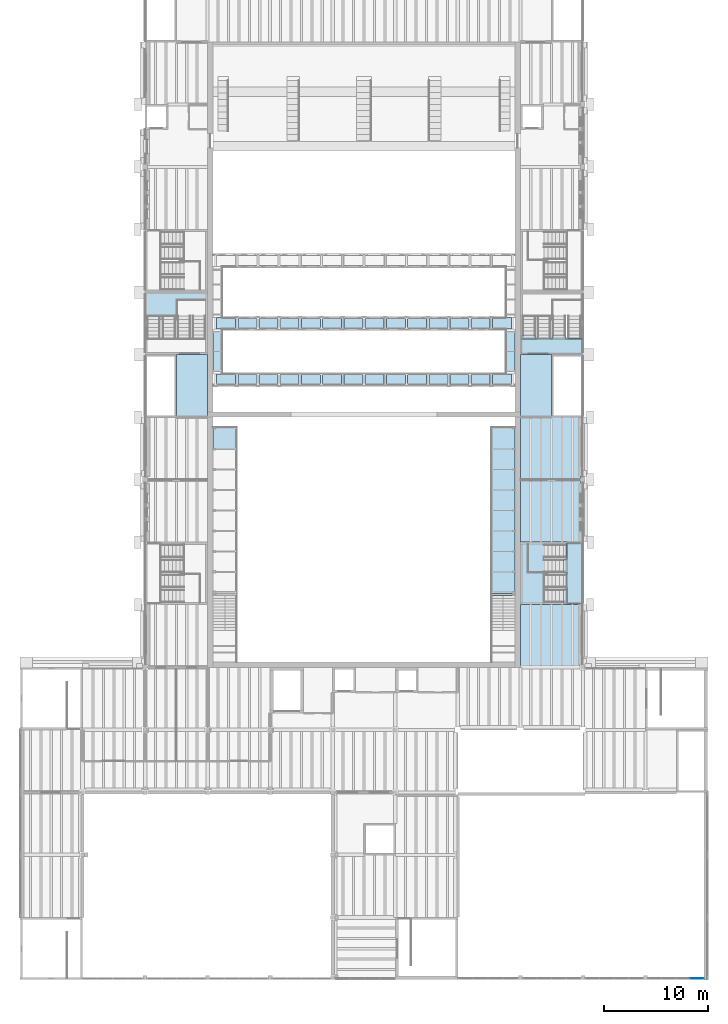
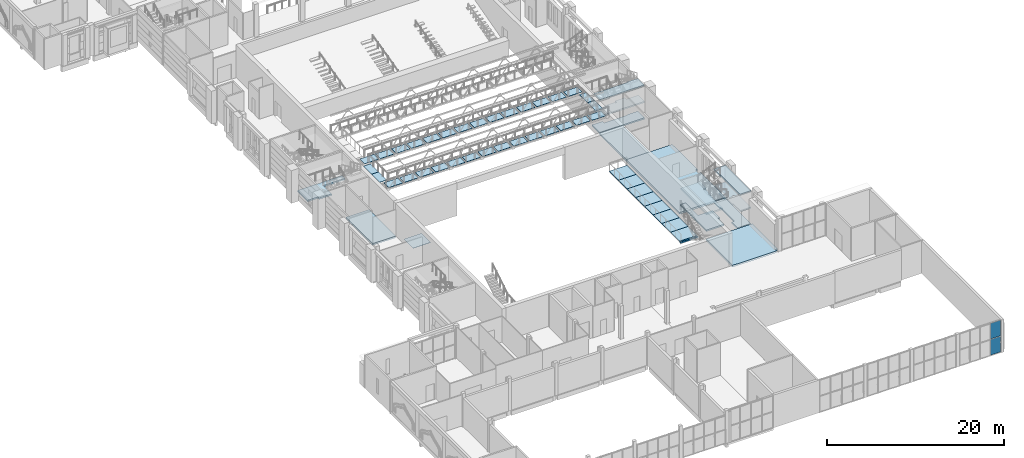
# One storey, part 19 of 70: 55 slabs, 2 plates, 4 elements without a shape of their own.
"""IFC4 building model written with IfcOpenShell, lengths in metres."""

from ifc_helpers import new_model, si_unit, direction, frame, origin, origin_2d, place, context, subcontext, project, spatial, polyline, rectangle, outline, extrude, material, layer, layer_set, type_object, element, aggregate, save


model = new_model("IFC4")

# Units and contexts
model_context = context("Model", 3, precision=1e-05, world=origin(), true_north=direction((0.0, 1.0)))
body_context = subcontext(model_context, "Body", "Model", "MODEL_VIEW")
ifc_project = project(units=[si_unit("LENGTHUNIT", "METRE"), si_unit("AREAUNIT", "SQUARE_METRE"), si_unit("VOLUMEUNIT", "CUBIC_METRE"), si_unit("PLANEANGLEUNIT", "RADIAN"), si_unit("MASSUNIT", "GRAM", prefix="KILO")], contexts=[model_context])

# Site, building, storey
site_placement = place(None, origin())
site = spatial("IfcSite", under=ifc_project, at=site_placement, CompositionType="ELEMENT")
building_placement = place(site_placement, origin())
building = spatial("IfcBuilding", under=site, at=building_placement, Name="Saffron Lane Theatres", CompositionType="ELEMENT")
storey_placement = place(building_placement, frame((0.0, 0.0, 12.0)))
storey = spatial("IfcBuildingStorey", under=building, at=storey_placement, Name="L02", CompositionType="ELEMENT", Elevation=12.0)

# Curtain wall, plates
ifc_material_1 = material(Name="Aluminium", Category="aluminium")
curtain_wall_type = type_object("IfcCurtainWallType", Name="EX-CURTAIN WALL 5440x4500x160", PredefinedType="NOTDEFINED", material=ifc_material_1)
curtain_wall_placement = place(storey_placement, origin())
curtain_wall = element("IfcCurtainWall", 1, at=curtain_wall_placement, inside=storey, type_object=curtain_wall_type, Name="Curtain wall L02 05", PredefinedType="NOTDEFINED")
ifc_material_2 = material(Name="Glass", Category="glass")
ifc_layer_1 = layer(ifc_material_2, 0.028076171875)
ifc_layer_set_1 = layer_set([ifc_layer_1], Name="Glass")
plate_type = type_object("IfcPlateType", Name="EX-CW PANEL GLAZING 28", PredefinedType="CURTAIN_PANEL", material=ifc_layer_set_1)
plate_1_placement = place(storey_placement, frame((64.94482421875, 0.1298828125, 0.06005859375), z_axis=(0.0, 0.0, 1.0), x_axis=(-1.0, 0.0, 0.0)))
plate_1 = element("IfcPlate", 2, at=plate_1_placement, type_object=plate_type, Name="CW-02-05 panel 1.1", PredefinedType="CURTAIN_PANEL", context=body_context, shape_type="SweptSolid", body=[
    extrude(rectangle(XDim=1.27001953125, YDim=0.028076171875, at=origin_2d()), origin(), (0.0, 0.0, 1.0), 2.159912109375),
])
plate_2_placement = place(storey_placement, frame((64.94482421875, 0.1298828125, 2.2802734375), z_axis=(0.0, 0.0, 1.0), x_axis=(-1.0, 0.0, 0.0)))
plate_2 = element("IfcPlate", 3, at=plate_2_placement, type_object=plate_type, Name="CW-02-05 panel 1.2", PredefinedType="CURTAIN_PANEL", context=body_context, shape_type="SweptSolid", body=[
    extrude(rectangle(XDim=1.27001953125, YDim=0.028076171875, at=origin_2d()), origin(), (0.0, 0.0, 1.0), 2.159912109375),
])
aggregate(curtain_wall, [plate_1, plate_2])

# Slabs
ifc_material_3 = material(Name="Concrete N40 (40 MPa)", Category="concrete")
ifc_layer_2 = layer(ifc_material_3, 0.25)
ifc_layer_set_2 = layer_set([ifc_layer_2], Name="Concrete N40 (40 MPa)")
slab_type_1 = type_object("IfcSlabType", Name="RC-SLAB FLOOR 250", PredefinedType="FLOOR", material=ifc_layer_set_2)
slab_1_placement = place(storey_placement, frame((0.0, 0.0, -0.25)))
element("IfcSlab", 4, at=slab_1_placement, inside=storey, type_object=slab_type_1, Name="slab-L02-AUD-1", PredefinedType="FLOOR", context=body_context, shape_type="SweptSolid", body=[
    extrude(outline(polyline([(15.0, 60.0), (15.0, 54.0), (18.0, 54.0), (18.0, 54.5), (18.0, 60.0), (15.0, 60.0)])), origin(), (0.0, 0.0, 1.0), 0.25),
])
slab_2_placement = place(storey_placement, frame((0.0, 0.0, -0.25)))
element("IfcSlab", 5, at=slab_2_placement, inside=storey, type_object=slab_type_1, Name="slab-L02-AUD-2", PredefinedType="FLOOR", context=body_context, shape_type="SweptSolid", body=[
    extrude(outline(polyline([(48.0, 54.5), (48.0, 54.0), (51.0, 54.0), (51.0, 60.0), (48.0, 60.0), (48.0, 54.5)])), origin(), (0.0, 0.0, 1.0), 0.25),
])
slab_3_placement = place(storey_placement, frame((0.0, 0.0, -0.25)))
element("IfcSlab", 6, at=slab_3_placement, inside=storey, type_object=slab_type_1, Name="slab-L02-STAGE-2", PredefinedType="FLOOR", context=body_context, shape_type="SweptSolid", body=[
    extrude(outline(polyline([(53.722900390625, 30.277099609375), (54.0, 30.277099609375), (54.0, 36.0), (48.0, 36.0), (48.0, 30.0), (53.722900390625, 30.0), (53.722900390625, 30.277099609375)])), origin(), (0.0, 0.0, 1.0), 0.25),
])
slab_4_placement = place(storey_placement, frame((0.0, 0.0, -0.25)))
element("IfcSlab", 7, at=slab_4_placement, inside=storey, type_object=slab_type_1, Name="slab-L02-STAGE-4", PredefinedType="FLOOR", context=body_context, shape_type="SweptSolid", body=[
    extrude(outline(polyline([(48.0, 42.0), (54.0, 42.0), (54.0, 47.64794921875), (53.748046875, 47.64794921875), (53.748046875, 48.35205078125), (54.0, 48.35205078125), (54.0, 54.0), (51.0, 54.0), (48.0, 54.0), (48.0, 42.0)])), origin(), (0.0, 0.0, 1.0), 0.25),
])
ifc_material_4 = material(Name="Steel Grade 350 grating", Category="steel")
ifc_layer_3 = layer(ifc_material_4, 0.0400390625)
ifc_layer_set_3 = layer_set([ifc_layer_3], Name="Steel Grade 350 grating")
slab_type_2 = type_object("IfcSlabType", Name="ST-BRIDGE DECK", PredefinedType="USERDEFINED", material=ifc_layer_set_3)
slab_5_placement = place(storey_placement, frame((0.0, 0.0, 4.4599609375)))
element("IfcSlab", 8, at=slab_5_placement, inside=storey, type_object=slab_type_2, Name="LW1-1", ObjectType="GALLERY", PredefinedType="USERDEFINED", context=body_context, shape_type="SweptSolid", body=[
    extrude(outline(polyline([(18.861572265625, 57.050048828125), (20.67431640625, 57.050048828125), (20.67431640625, 58.14990234375), (18.861572265625, 58.14990234375), (18.861572265625, 57.050048828125)])), origin(), (0.0, 0.0, 1.0), 0.0400390625),
])
slab_6_placement = place(storey_placement, frame((0.0, 0.0, 4.4599609375)))
element("IfcSlab", 9, at=slab_6_placement, inside=storey, type_object=slab_type_2, Name="LW1-2", ObjectType="GALLERY", PredefinedType="USERDEFINED", context=body_context, shape_type="SweptSolid", body=[
    extrude(outline(polyline([(20.897216796875, 57.050048828125), (22.7099609375, 57.050048828125), (22.7099609375, 58.14990234375), (20.897216796875, 58.14990234375), (20.897216796875, 57.050048828125)])), origin(), (0.0, 0.0, 1.0), 0.0400390625),
])
slab_7_placement = place(storey_placement, frame((0.0, 0.0, 4.4599609375)))
element("IfcSlab", 10, at=slab_7_placement, inside=storey, type_object=slab_type_2, Name="LW1-3", ObjectType="GALLERY", PredefinedType="USERDEFINED", context=body_context, shape_type="SweptSolid", body=[
    extrude(outline(polyline([(22.932861328125, 57.050048828125), (24.74560546875, 57.050048828125), (24.74560546875, 58.14990234375), (22.932861328125, 58.14990234375), (22.932861328125, 57.050048828125)])), origin(), (0.0, 0.0, 1.0), 0.0400390625),
])
slab_8_placement = place(storey_placement, frame((0.0, 0.0, 4.4599609375)))
element("IfcSlab", 11, at=slab_8_placement, inside=storey, type_object=slab_type_2, Name="LW1-4", ObjectType="GALLERY", PredefinedType="USERDEFINED", context=body_context, shape_type="SweptSolid", body=[
    extrude(outline(polyline([(24.96875, 57.050048828125), (26.78125, 57.050048828125), (26.78125, 58.14990234375), (24.96875, 58.14990234375), (24.96875, 57.050048828125)])), origin(), (0.0, 0.0, 1.0), 0.0400390625),
])
slab_9_placement = place(storey_placement, frame((0.0, 0.0, 4.4599609375)))
element("IfcSlab", 12, at=slab_9_placement, inside=storey, type_object=slab_type_2, Name="LW1-5", ObjectType="GALLERY", PredefinedType="USERDEFINED", context=body_context, shape_type="SweptSolid", body=[
    extrude(outline(polyline([(27.00439453125, 57.050048828125), (28.817138671875, 57.050048828125), (28.817138671875, 58.14990234375), (27.00439453125, 58.14990234375), (27.00439453125, 57.050048828125)])), origin(), (0.0, 0.0, 1.0), 0.0400390625),
])
slab_10_placement = place(storey_placement, frame((0.0, 0.0, 4.4599609375)))
element("IfcSlab", 13, at=slab_10_placement, inside=storey, type_object=slab_type_2, Name="LW1-6", ObjectType="GALLERY", PredefinedType="USERDEFINED", context=body_context, shape_type="SweptSolid", body=[
    extrude(outline(polyline([(29.0400390625, 57.050048828125), (30.852783203125, 57.050048828125), (30.852783203125, 58.14990234375), (29.0400390625, 58.14990234375), (29.0400390625, 57.050048828125)])), origin(), (0.0, 0.0, 1.0), 0.0400390625),
])
slab_11_placement = place(storey_placement, frame((0.0, 0.0, 4.4599609375)))
element("IfcSlab", 14, at=slab_11_placement, inside=storey, type_object=slab_type_2, Name="LW1-7", ObjectType="GALLERY", PredefinedType="USERDEFINED", context=body_context, shape_type="SweptSolid", body=[
    extrude(outline(polyline([(31.07568359375, 57.050048828125), (32.888427734375, 57.050048828125), (32.888427734375, 58.14990234375), (31.07568359375, 58.14990234375), (31.07568359375, 57.050048828125)])), origin(), (0.0, 0.0, 1.0), 0.0400390625),
])
slab_12_placement = place(storey_placement, frame((0.0, 0.0, 4.4599609375)))
element("IfcSlab", 15, at=slab_12_placement, inside=storey, type_object=slab_type_2, Name="LW1-8", ObjectType="GALLERY", PredefinedType="USERDEFINED", context=body_context, shape_type="SweptSolid", body=[
    extrude(outline(polyline([(33.111572265625, 57.050048828125), (34.92431640625, 57.050048828125), (34.92431640625, 58.14990234375), (33.111572265625, 58.14990234375), (33.111572265625, 57.050048828125)])), origin(), (0.0, 0.0, 1.0), 0.0400390625),
])
slab_13_placement = place(storey_placement, frame((0.0, 0.0, 4.4599609375)))
element("IfcSlab", 16, at=slab_13_placement, inside=storey, type_object=slab_type_2, Name="LW1-9", ObjectType="GALLERY", PredefinedType="USERDEFINED", context=body_context, shape_type="SweptSolid", body=[
    extrude(outline(polyline([(35.147216796875, 57.050048828125), (36.9599609375, 57.050048828125), (36.9599609375, 58.14990234375), (35.147216796875, 58.14990234375), (35.147216796875, 57.050048828125)])), origin(), (0.0, 0.0, 1.0), 0.0400390625),
])
slab_14_placement = place(storey_placement, frame((0.0, 0.0, 4.4599609375)))
element("IfcSlab", 17, at=slab_14_placement, inside=storey, type_object=slab_type_2, Name="LW1-10", ObjectType="GALLERY", PredefinedType="USERDEFINED", context=body_context, shape_type="SweptSolid", body=[
    extrude(outline(polyline([(37.182861328125, 57.050048828125), (38.99560546875, 57.050048828125), (38.99560546875, 58.14990234375), (37.182861328125, 58.14990234375), (37.182861328125, 57.050048828125)])), origin(), (0.0, 0.0, 1.0), 0.0400390625),
])
slab_15_placement = place(storey_placement, frame((0.0, 0.0, 4.4599609375)))
element("IfcSlab", 18, at=slab_15_placement, inside=storey, type_object=slab_type_2, Name="LW1-11", ObjectType="GALLERY", PredefinedType="USERDEFINED", context=body_context, shape_type="SweptSolid", body=[
    extrude(outline(polyline([(39.21875, 57.050048828125), (41.03125, 57.050048828125), (41.03125, 58.14990234375), (39.21875, 58.14990234375), (39.21875, 57.050048828125)])), origin(), (0.0, 0.0, 1.0), 0.0400390625),
])
slab_16_placement = place(storey_placement, frame((0.0, 0.0, 4.4599609375)))
element("IfcSlab", 19, at=slab_16_placement, inside=storey, type_object=slab_type_2, Name="LW1-12", ObjectType="GALLERY", PredefinedType="USERDEFINED", context=body_context, shape_type="SweptSolid", body=[
    extrude(outline(polyline([(41.25439453125, 57.050048828125), (43.067138671875, 57.050048828125), (43.067138671875, 58.14990234375), (41.25439453125, 58.14990234375), (41.25439453125, 57.050048828125)])), origin(), (0.0, 0.0, 1.0), 0.0400390625),
])
slab_17_placement = place(storey_placement, frame((0.0, 0.0, 4.4599609375)))
element("IfcSlab", 20, at=slab_17_placement, inside=storey, type_object=slab_type_2, Name="LW1-13", ObjectType="GALLERY", PredefinedType="USERDEFINED", context=body_context, shape_type="SweptSolid", body=[
    extrude(outline(polyline([(43.2900390625, 57.050048828125), (45.102783203125, 57.050048828125), (45.102783203125, 58.14990234375), (43.2900390625, 58.14990234375), (43.2900390625, 57.050048828125)])), origin(), (0.0, 0.0, 1.0), 0.0400390625),
])
slab_18_placement = place(storey_placement, frame((0.0, 0.0, 4.4599609375)))
element("IfcSlab", 21, at=slab_18_placement, inside=storey, type_object=slab_type_2, Name="LW1-14", ObjectType="GALLERY", PredefinedType="USERDEFINED", context=body_context, shape_type="SweptSolid", body=[
    extrude(outline(polyline([(45.32568359375, 57.050048828125), (47.138427734375, 57.050048828125), (47.138427734375, 58.14990234375), (45.32568359375, 58.14990234375), (45.32568359375, 57.050048828125)])), origin(), (0.0, 0.0, 1.0), 0.0400390625),
])
slab_19_placement = place(storey_placement, frame((0.0, 0.0, 4.4599609375)))
element("IfcSlab", 22, at=slab_19_placement, inside=storey, type_object=slab_type_2, Name="LW2-1", ObjectType="GALLERY", PredefinedType="USERDEFINED", context=body_context, shape_type="SweptSolid", body=[
    extrude(outline(polyline([(18.861572265625, 62.449951171875), (20.67431640625, 62.449951171875), (20.67431640625, 63.550048828125), (18.861572265625, 63.550048828125), (18.861572265625, 62.449951171875)])), origin(), (0.0, 0.0, 1.0), 0.0400390625),
])
slab_20_placement = place(storey_placement, frame((0.0, 0.0, 4.4599609375)))
element("IfcSlab", 23, at=slab_20_placement, inside=storey, type_object=slab_type_2, Name="LW2-2", ObjectType="GALLERY", PredefinedType="USERDEFINED", context=body_context, shape_type="SweptSolid", body=[
    extrude(outline(polyline([(20.897216796875, 62.449951171875), (22.7099609375, 62.449951171875), (22.7099609375, 63.550048828125), (20.897216796875, 63.550048828125), (20.897216796875, 62.449951171875)])), origin(), (0.0, 0.0, 1.0), 0.0400390625),
])
slab_21_placement = place(storey_placement, frame((0.0, 0.0, 4.4599609375)))
element("IfcSlab", 24, at=slab_21_placement, inside=storey, type_object=slab_type_2, Name="LW2-3", ObjectType="GALLERY", PredefinedType="USERDEFINED", context=body_context, shape_type="SweptSolid", body=[
    extrude(outline(polyline([(22.932861328125, 62.449951171875), (24.74560546875, 62.449951171875), (24.74560546875, 63.550048828125), (22.932861328125, 63.550048828125), (22.932861328125, 62.449951171875)])), origin(), (0.0, 0.0, 1.0), 0.0400390625),
])
slab_22_placement = place(storey_placement, frame((0.0, 0.0, 4.4599609375)))
element("IfcSlab", 25, at=slab_22_placement, inside=storey, type_object=slab_type_2, Name="LW2-4", ObjectType="GALLERY", PredefinedType="USERDEFINED", context=body_context, shape_type="SweptSolid", body=[
    extrude(outline(polyline([(24.96875, 62.449951171875), (26.78125, 62.449951171875), (26.78125, 63.550048828125), (24.96875, 63.550048828125), (24.96875, 62.449951171875)])), origin(), (0.0, 0.0, 1.0), 0.0400390625),
])
slab_23_placement = place(storey_placement, frame((0.0, 0.0, 4.4599609375)))
element("IfcSlab", 26, at=slab_23_placement, inside=storey, type_object=slab_type_2, Name="LW2-5", ObjectType="GALLERY", PredefinedType="USERDEFINED", context=body_context, shape_type="SweptSolid", body=[
    extrude(outline(polyline([(27.00439453125, 62.449951171875), (28.817138671875, 62.449951171875), (28.817138671875, 63.550048828125), (27.00439453125, 63.550048828125), (27.00439453125, 62.449951171875)])), origin(), (0.0, 0.0, 1.0), 0.0400390625),
])
slab_24_placement = place(storey_placement, frame((0.0, 0.0, 4.4599609375)))
element("IfcSlab", 27, at=slab_24_placement, inside=storey, type_object=slab_type_2, Name="LW2-6", ObjectType="GALLERY", PredefinedType="USERDEFINED", context=body_context, shape_type="SweptSolid", body=[
    extrude(outline(polyline([(29.0400390625, 62.449951171875), (30.852783203125, 62.449951171875), (30.852783203125, 63.550048828125), (29.0400390625, 63.550048828125), (29.0400390625, 62.449951171875)])), origin(), (0.0, 0.0, 1.0), 0.0400390625),
])
slab_25_placement = place(storey_placement, frame((0.0, 0.0, 4.4599609375)))
element("IfcSlab", 28, at=slab_25_placement, inside=storey, type_object=slab_type_2, Name="LW2-7", ObjectType="GALLERY", PredefinedType="USERDEFINED", context=body_context, shape_type="SweptSolid", body=[
    extrude(outline(polyline([(31.07568359375, 62.449951171875), (32.888427734375, 62.449951171875), (32.888427734375, 63.550048828125), (31.07568359375, 63.550048828125), (31.07568359375, 62.449951171875)])), origin(), (0.0, 0.0, 1.0), 0.0400390625),
])
slab_26_placement = place(storey_placement, frame((0.0, 0.0, 4.4599609375)))
element("IfcSlab", 29, at=slab_26_placement, inside=storey, type_object=slab_type_2, Name="LW2-8", ObjectType="GALLERY", PredefinedType="USERDEFINED", context=body_context, shape_type="SweptSolid", body=[
    extrude(outline(polyline([(33.111572265625, 62.449951171875), (34.92431640625, 62.449951171875), (34.92431640625, 63.550048828125), (33.111572265625, 63.550048828125), (33.111572265625, 62.449951171875)])), origin(), (0.0, 0.0, 1.0), 0.0400390625),
])
slab_27_placement = place(storey_placement, frame((0.0, 0.0, 4.4599609375)))
element("IfcSlab", 30, at=slab_27_placement, inside=storey, type_object=slab_type_2, Name="LW2-9", ObjectType="GALLERY", PredefinedType="USERDEFINED", context=body_context, shape_type="SweptSolid", body=[
    extrude(outline(polyline([(35.147216796875, 62.449951171875), (36.9599609375, 62.449951171875), (36.9599609375, 63.550048828125), (35.147216796875, 63.550048828125), (35.147216796875, 62.449951171875)])), origin(), (0.0, 0.0, 1.0), 0.0400390625),
])
slab_28_placement = place(storey_placement, frame((0.0, 0.0, 4.4599609375)))
element("IfcSlab", 31, at=slab_28_placement, inside=storey, type_object=slab_type_2, Name="LW2-10", ObjectType="GALLERY", PredefinedType="USERDEFINED", context=body_context, shape_type="SweptSolid", body=[
    extrude(outline(polyline([(37.182861328125, 62.449951171875), (38.99560546875, 62.449951171875), (38.99560546875, 63.550048828125), (37.182861328125, 63.550048828125), (37.182861328125, 62.449951171875)])), origin(), (0.0, 0.0, 1.0), 0.0400390625),
])
slab_29_placement = place(storey_placement, frame((0.0, 0.0, 4.4599609375)))
element("IfcSlab", 32, at=slab_29_placement, inside=storey, type_object=slab_type_2, Name="LW2-11", ObjectType="GALLERY", PredefinedType="USERDEFINED", context=body_context, shape_type="SweptSolid", body=[
    extrude(outline(polyline([(39.21875, 62.449951171875), (41.03125, 62.449951171875), (41.03125, 63.550048828125), (39.21875, 63.550048828125), (39.21875, 62.449951171875)])), origin(), (0.0, 0.0, 1.0), 0.0400390625),
])
slab_30_placement = place(storey_placement, frame((0.0, 0.0, 4.4599609375)))
element("IfcSlab", 33, at=slab_30_placement, inside=storey, type_object=slab_type_2, Name="LW2-12", ObjectType="GALLERY", PredefinedType="USERDEFINED", context=body_context, shape_type="SweptSolid", body=[
    extrude(outline(polyline([(41.25439453125, 62.449951171875), (43.067138671875, 62.449951171875), (43.067138671875, 63.550048828125), (41.25439453125, 63.550048828125), (41.25439453125, 62.449951171875)])), origin(), (0.0, 0.0, 1.0), 0.0400390625),
])
slab_31_placement = place(storey_placement, frame((0.0, 0.0, 4.4599609375)))
element("IfcSlab", 34, at=slab_31_placement, inside=storey, type_object=slab_type_2, Name="LW2-13", ObjectType="GALLERY", PredefinedType="USERDEFINED", context=body_context, shape_type="SweptSolid", body=[
    extrude(outline(polyline([(43.2900390625, 62.449951171875), (45.102783203125, 62.449951171875), (45.102783203125, 63.550048828125), (43.2900390625, 63.550048828125), (43.2900390625, 62.449951171875)])), origin(), (0.0, 0.0, 1.0), 0.0400390625),
])
slab_32_placement = place(storey_placement, frame((0.0, 0.0, 4.4599609375)))
element("IfcSlab", 35, at=slab_32_placement, inside=storey, type_object=slab_type_2, Name="LW2-14", ObjectType="GALLERY", PredefinedType="USERDEFINED", context=body_context, shape_type="SweptSolid", body=[
    extrude(outline(polyline([(45.32568359375, 62.449951171875), (47.138427734375, 62.449951171875), (47.138427734375, 63.550048828125), (45.32568359375, 63.550048828125), (45.32568359375, 62.449951171875)])), origin(), (0.0, 0.0, 1.0), 0.0400390625),
])
slab_33_placement = place(storey_placement, frame((0.0, 0.0, 4.4599609375)))
element("IfcSlab", 36, at=slab_33_placement, inside=storey, type_object=slab_type_2, Name="CDW1-2", ObjectType="GALLERY", PredefinedType="USERDEFINED", context=body_context, shape_type="SweptSolid", body=[
    extrude(outline(polyline([(18.5, 58.449951171875), (19.39990234375, 58.449951171875), (19.39990234375, 60.300048828125), (18.5, 60.300048828125), (18.5, 58.449951171875)])), origin(), (0.0, 0.0, 1.0), 0.0400390625),
])
slab_34_placement = place(storey_placement, frame((0.0, 0.0, 4.4599609375)))
element("IfcSlab", 37, at=slab_34_placement, inside=storey, type_object=slab_type_2, Name="CDW1-3", ObjectType="GALLERY", PredefinedType="USERDEFINED", context=body_context, shape_type="SweptSolid", body=[
    extrude(outline(polyline([(18.5, 60.300048828125), (19.39990234375, 60.300048828125), (19.39990234375, 62.14990234375), (18.5, 62.14990234375), (18.5, 60.300048828125)])), origin(), (0.0, 0.0, 1.0), 0.0400390625),
])
slab_35_placement = place(storey_placement, frame((0.0, 0.0, 4.4599609375)))
element("IfcSlab", 38, at=slab_35_placement, inside=storey, type_object=slab_type_2, Name="CDE1-2", ObjectType="GALLERY", PredefinedType="USERDEFINED", context=body_context, shape_type="SweptSolid", body=[
    extrude(outline(polyline([(46.60009765625, 58.449951171875), (47.5, 58.449951171875), (47.5, 60.300048828125), (46.60009765625, 60.300048828125), (46.60009765625, 58.449951171875)])), origin(), (0.0, 0.0, 1.0), 0.0400390625),
])
slab_36_placement = place(storey_placement, frame((0.0, 0.0, 4.4599609375)))
element("IfcSlab", 39, at=slab_36_placement, inside=storey, type_object=slab_type_2, Name="CDE1-3", ObjectType="GALLERY", PredefinedType="USERDEFINED", context=body_context, shape_type="SweptSolid", body=[
    extrude(outline(polyline([(46.60009765625, 60.300048828125), (47.5, 60.300048828125), (47.5, 62.14990234375), (46.60009765625, 62.14990234375), (46.60009765625, 60.300048828125)])), origin(), (0.0, 0.0, 1.0), 0.0400390625),
])
ifc_material_5 = material(Name="Steel Grade 350 chequer plate", Category="steel")
ifc_layer_4 = layer(ifc_material_5, 0.050048828125)
ifc_layer_set_4 = layer_set([ifc_layer_4], Name="Steel Grade 350 chequer plate")
slab_type_3 = type_object("IfcSlabType", Name="ST-GALLERY DECK", PredefinedType="USERDEFINED", material=ifc_layer_set_4)
slab_37_placement = place(storey_placement, frame((0.0, 0.0, -0.050048828125)))
element("IfcSlab", 40, at=slab_37_placement, inside=storey, type_object=slab_type_3, Name="FGW12-8", ObjectType="GALLERY", PredefinedType="USERDEFINED", context=body_context, shape_type="SweptSolid", body=[
    extrude(outline(polyline([(18.5, 50.9375), (20.800048828125, 50.9375), (20.800048828125, 53.0), (18.5, 53.0), (18.5, 50.9375)])), origin(), (0.0, 0.0, 1.0), 0.050048828125),
])
slab_38_placement = place(storey_placement, frame((0.0, 0.0, -0.050048828125)))
element("IfcSlab", 41, at=slab_38_placement, inside=storey, type_object=slab_type_3, Name="FGE12-1", ObjectType="GALLERY", PredefinedType="USERDEFINED", context=body_context, shape_type="SweptSolid", body=[
    extrude(outline(polyline([(45.199951171875, 37.10009765625), (47.5, 37.10009765625), (47.5, 39.16259765625), (45.199951171875, 39.16259765625), (45.199951171875, 37.10009765625)])), origin(), (0.0, 0.0, 1.0), 0.050048828125),
])
slab_39_placement = place(storey_placement, frame((0.0, 0.0, -0.050048828125)))
element("IfcSlab", 42, at=slab_39_placement, inside=storey, type_object=slab_type_3, Name="FGE12-2", ObjectType="GALLERY", PredefinedType="USERDEFINED", context=body_context, shape_type="SweptSolid", body=[
    extrude(outline(polyline([(45.199951171875, 39.16259765625), (47.5, 39.16259765625), (47.5, 41.125), (45.199951171875, 41.125), (45.199951171875, 39.16259765625)])), origin(), (0.0, 0.0, 1.0), 0.050048828125),
])
slab_40_placement = place(storey_placement, frame((0.0, 0.0, -0.050048828125)))
element("IfcSlab", 43, at=slab_40_placement, inside=storey, type_object=slab_type_3, Name="FGE12-3", ObjectType="GALLERY", PredefinedType="USERDEFINED", context=body_context, shape_type="SweptSolid", body=[
    extrude(outline(polyline([(45.199951171875, 41.125), (47.5, 41.125), (47.5, 43.08740234375), (45.199951171875, 43.08740234375), (45.199951171875, 41.125)])), origin(), (0.0, 0.0, 1.0), 0.050048828125),
])
slab_41_placement = place(storey_placement, frame((0.0, 0.0, -0.050048828125)))
element("IfcSlab", 44, at=slab_41_placement, inside=storey, type_object=slab_type_3, Name="FGE12-4", ObjectType="GALLERY", PredefinedType="USERDEFINED", context=body_context, shape_type="SweptSolid", body=[
    extrude(outline(polyline([(45.199951171875, 43.08740234375), (47.5, 43.08740234375), (47.5, 45.050048828125), (45.199951171875, 45.050048828125), (45.199951171875, 43.08740234375)])), origin(), (0.0, 0.0, 1.0), 0.050048828125),
])
slab_42_placement = place(storey_placement, frame((0.0, 0.0, -0.050048828125)))
element("IfcSlab", 45, at=slab_42_placement, inside=storey, type_object=slab_type_3, Name="FGE12-5", ObjectType="GALLERY", PredefinedType="USERDEFINED", context=body_context, shape_type="SweptSolid", body=[
    extrude(outline(polyline([(45.199951171875, 45.050048828125), (47.5, 45.050048828125), (47.5, 47.012451171875), (45.199951171875, 47.012451171875), (45.199951171875, 45.050048828125)])), origin(), (0.0, 0.0, 1.0), 0.050048828125),
])
slab_43_placement = place(storey_placement, frame((0.0, 0.0, -0.050048828125)))
element("IfcSlab", 46, at=slab_43_placement, inside=storey, type_object=slab_type_3, Name="FGE12-6", ObjectType="GALLERY", PredefinedType="USERDEFINED", context=body_context, shape_type="SweptSolid", body=[
    extrude(outline(polyline([(45.199951171875, 47.012451171875), (47.5, 47.012451171875), (47.5, 48.97509765625), (45.199951171875, 48.97509765625), (45.199951171875, 47.012451171875)])), origin(), (0.0, 0.0, 1.0), 0.050048828125),
])
slab_44_placement = place(storey_placement, frame((0.0, 0.0, -0.050048828125)))
element("IfcSlab", 47, at=slab_44_placement, inside=storey, type_object=slab_type_3, Name="FGE12-7", ObjectType="GALLERY", PredefinedType="USERDEFINED", context=body_context, shape_type="SweptSolid", body=[
    extrude(outline(polyline([(45.199951171875, 48.97509765625), (47.5, 48.97509765625), (47.5, 50.9375), (45.199951171875, 50.9375), (45.199951171875, 48.97509765625)])), origin(), (0.0, 0.0, 1.0), 0.050048828125),
])
slab_45_placement = place(storey_placement, frame((0.0, 0.0, -0.050048828125)))
element("IfcSlab", 48, at=slab_45_placement, inside=storey, type_object=slab_type_3, Name="FGE12-8", ObjectType="GALLERY", PredefinedType="USERDEFINED", context=body_context, shape_type="SweptSolid", body=[
    extrude(outline(polyline([(45.199951171875, 50.9375), (47.5, 50.9375), (47.5, 53.0), (45.199951171875, 53.0), (45.199951171875, 50.9375)])), origin(), (0.0, 0.0, 1.0), 0.050048828125),
])
ifc_material_6 = material(Name="Steel Grade 350 chequer plate", Category="steel")
ifc_layer_5 = layer(ifc_material_6, 0.35009765625)
ifc_layer_set_5 = layer_set([ifc_layer_5], Name="Steel Grade 350 chequer plate")
slab_type_4 = type_object("IfcSlabType", Name="ST-GALLERY LANDING PLATE", PredefinedType="USERDEFINED", material=ifc_layer_set_5)
slab_46_placement = place(storey_placement, frame((0.0, 0.0, -0.199951171875)))
element("IfcSlab", 49, at=slab_46_placement, inside=storey, type_object=slab_type_4, Name="FPE12", ObjectType="GALLERY", PredefinedType="USERDEFINED", context=body_context, shape_type="SweptSolid", body=[
    extrude(outline(polyline([(45.199951171875, 36.89990234375), (47.5, 36.89990234375), (47.5, 37.10009765625), (45.199951171875, 37.10009765625), (45.199951171875, 36.89990234375)])), origin(), (0.0, 0.0, 1.0), 0.199951171875),
])

# Stair, slab
ifc_material_7 = material(Name="Concrete N40 (40 MPa)", Category="concrete")
stair_type = type_object("IfcStairType", Name="VC-STAIR EXIT", PredefinedType="TWO_STRAIGHT_RUN_STAIR", material=ifc_material_7)
stair_1_placement = place(storey_placement, origin())
stair_1 = element("IfcStair", 50, at=stair_1_placement, inside=storey, type_object=stair_type, Name="Auditorium West Front Stair L02 to L03", PredefinedType="TWO_STRAIGHT_RUN_STAIR")
ifc_material_8 = material(Name="Concrete N40 (40 MPa)", Category="concrete")
ifc_layer_6 = layer(ifc_material_8, 0.199951171875)
ifc_layer_set_6 = layer_set([ifc_layer_6], Name="Concrete N40 (40 MPa)")
slab_type_5 = type_object("IfcSlabType", Name="VC-LANDING 200", PredefinedType="LANDING", material=ifc_layer_set_6)
slab_47_placement = place(storey_placement, frame((0.0, 0.0, 0.925048828125)))
slab_47 = element("IfcSlab", 51, at=slab_47_placement, type_object=slab_type_5, Name="ST15 landing 2", PredefinedType="LANDING", context=body_context, shape_type="SweptSolid", body=[
    extrude(outline(polyline([(15.10009765625, 63.3701171875), (13.449951171875, 63.3701171875), (13.449951171875, 63.6201171875), (12.10009765625, 63.6201171875), (12.10009765625, 65.89990234375), (17.89990234375, 65.89990234375), (17.89990234375, 65.25), (15.10009765625, 65.25), (15.10009765625, 63.3701171875)])), origin(), (0.0, 0.0, 1.0), 0.199951171875),
])
aggregate(stair_1, [slab_47])

# Stair, slabs
stair_2_placement = place(storey_placement, origin())
stair_2 = element("IfcStair", 52, at=stair_2_placement, inside=storey, type_object=stair_type, Name="Auditorium East Front Stair L02 to L03", PredefinedType="TWO_STRAIGHT_RUN_STAIR")
slab_48_placement = place(storey_placement, frame((0.0, 0.0, -0.199951171875)))
slab_48 = element("IfcSlab", 53, at=slab_48_placement, type_object=slab_type_5, Name="ST18 landing 1", PredefinedType="LANDING", context=body_context, shape_type="SweptSolid", body=[
    extrude(outline(polyline([(53.89990234375, 60.10009765625), (48.10009765625, 60.10009765625), (48.10009765625, 61.85009765625), (49.449951171875, 61.85009765625), (49.449951171875, 61.5), (52.550048828125, 61.5), (52.550048828125, 61.60009765625), (53.89990234375, 61.60009765625), (53.89990234375, 61.5), (53.89990234375, 61.5), (53.89990234375, 60.10009765625)])), origin(), (0.0, 0.0, 1.0), 0.199951171875),
])
slab_49_placement = place(storey_placement, frame((0.0, 0.0, 2.050048828125)))
slab_49 = element("IfcSlab", 54, at=slab_49_placement, type_object=slab_type_5, Name="ST18 landing 3", PredefinedType="LANDING", context=body_context, shape_type="SweptSolid", body=[
    extrude(outline(polyline([(53.89990234375, 61.5), (53.89990234375, 60.10009765625), (48.10009765625, 60.10009765625), (48.10009765625, 61.5), (49.64990234375, 61.5), (49.64990234375, 61.60009765625), (50.89990234375, 61.60009765625), (50.89990234375, 61.5), (51.10009765625, 61.5), (51.10009765625, 61.85009765625), (52.35009765625, 61.85009765625), (52.35009765625, 61.5), (53.89990234375, 61.5)])), origin(), (0.0, 0.0, 1.0), 0.199951171875),
])
slab_50_placement = place(storey_placement, frame((0.0, 0.0, 4.300048828125)))
slab_50 = element("IfcSlab", 55, at=slab_50_placement, type_object=slab_type_5, Name="ST18 landing 5", PredefinedType="LANDING", context=body_context, shape_type="SweptSolid", body=[
    extrude(outline(polyline([(53.89990234375, 60.10009765625), (48.10009765625, 60.10009765625), (48.10009765625, 61.5), (52.550048828125, 61.5), (52.550048828125, 61.60009765625), (53.89990234375, 61.60009765625), (53.89990234375, 61.5), (53.89990234375, 61.5), (53.89990234375, 60.10009765625)])), origin(), (0.0, 0.0, 1.0), 0.199951171875),
])
aggregate(stair_2, [slab_48, slab_49, slab_50])

stair_3_placement = place(storey_placement, origin())
stair_3 = element("IfcStair", 56, at=stair_3_placement, inside=storey, type_object=stair_type, Name="Stage East Stair L02 to L03", PredefinedType="TWO_STRAIGHT_RUN_STAIR")
slab_51_placement = place(storey_placement, frame((0.0, 0.0, -0.199951171875)))
slab_51 = element("IfcSlab", 57, at=slab_51_placement, type_object=slab_type_5, Name="ST24 landing 1", PredefinedType="LANDING", context=body_context, shape_type="SweptSolid", body=[
    extrude(outline(polyline([(53.89990234375, 41.89990234375), (53.89990234375, 36.10009765625), (52.14990234375, 36.10009765625), (52.14990234375, 37.449951171875), (52.5, 37.449951171875), (52.5, 40.550048828125), (52.39990234375, 40.550048828125), (52.39990234375, 41.89990234375), (52.5, 41.89990234375), (52.5, 41.89990234375), (53.89990234375, 41.89990234375)])), origin(), (0.0, 0.0, 1.0), 0.199951171875),
])
slab_52_placement = place(storey_placement, frame((0.0, 0.0, 0.925048828125)))
slab_52 = element("IfcSlab", 58, at=slab_52_placement, type_object=slab_type_5, Name="ST24 landing 2", PredefinedType="LANDING", context=body_context, shape_type="SweptSolid", body=[
    extrude(outline(polyline([(50.6298828125, 39.10009765625), (50.6298828125, 37.449951171875), (50.3798828125, 37.449951171875), (50.3798828125, 36.10009765625), (48.10009765625, 36.10009765625), (48.10009765625, 41.89990234375), (48.75, 41.89990234375), (48.75, 39.10009765625), (50.6298828125, 39.10009765625)])), origin(), (0.0, 0.0, 1.0), 0.199951171875),
])
slab_53_placement = place(storey_placement, frame((0.0, 0.0, 2.050048828125)))
slab_53 = element("IfcSlab", 59, at=slab_53_placement, type_object=slab_type_5, Name="ST24 landing 3", PredefinedType="LANDING", context=body_context, shape_type="SweptSolid", body=[
    extrude(outline(polyline([(52.5, 41.89990234375), (53.89990234375, 41.89990234375), (53.89990234375, 36.10009765625), (52.5, 36.10009765625), (52.5, 37.64990234375), (52.39990234375, 37.64990234375), (52.39990234375, 38.89990234375), (52.5, 38.89990234375), (52.5, 39.10009765625), (52.14990234375, 39.10009765625), (52.14990234375, 40.35009765625), (52.5, 40.35009765625), (52.5, 41.89990234375)])), origin(), (0.0, 0.0, 1.0), 0.199951171875),
])
slab_54_placement = place(storey_placement, frame((0.0, 0.0, 3.175048828125)))
slab_54 = element("IfcSlab", 60, at=slab_54_placement, type_object=slab_type_5, Name="ST24 landing 4", PredefinedType="LANDING", context=body_context, shape_type="SweptSolid", body=[
    extrude(outline(polyline([(50.280029296875, 40.550048828125), (50.280029296875, 40.35009765625), (50.3798828125, 40.35009765625), (50.3798828125, 39.10009765625), (50.280029296875, 39.10009765625), (50.280029296875, 36.10009765625), (48.10009765625, 36.10009765625), (48.10009765625, 41.89990234375), (50.6298828125, 41.89990234375), (50.6298828125, 40.550048828125), (50.280029296875, 40.550048828125)])), origin(), (0.0, 0.0, 1.0), 0.199951171875),
])
slab_55_placement = place(storey_placement, frame((0.0, 0.0, 4.300048828125)))
slab_55 = element("IfcSlab", 61, at=slab_55_placement, type_object=slab_type_5, Name="ST24 landing 5", PredefinedType="LANDING", context=body_context, shape_type="SweptSolid", body=[
    extrude(outline(polyline([(53.89990234375, 41.89990234375), (53.89990234375, 36.10009765625), (52.5, 36.10009765625), (52.5, 40.550048828125), (52.39990234375, 40.550048828125), (52.39990234375, 41.89990234375), (52.5, 41.89990234375), (52.5, 41.89990234375), (53.89990234375, 41.89990234375)])), origin(), (0.0, 0.0, 1.0), 0.199951171875),
])
aggregate(stair_3, [slab_51, slab_52, slab_53, slab_54, slab_55])

save(model, "model.ifc")
